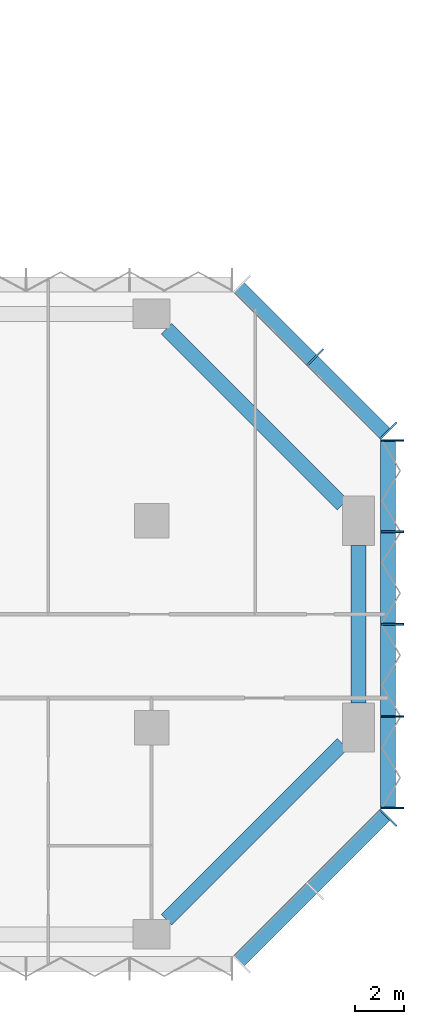
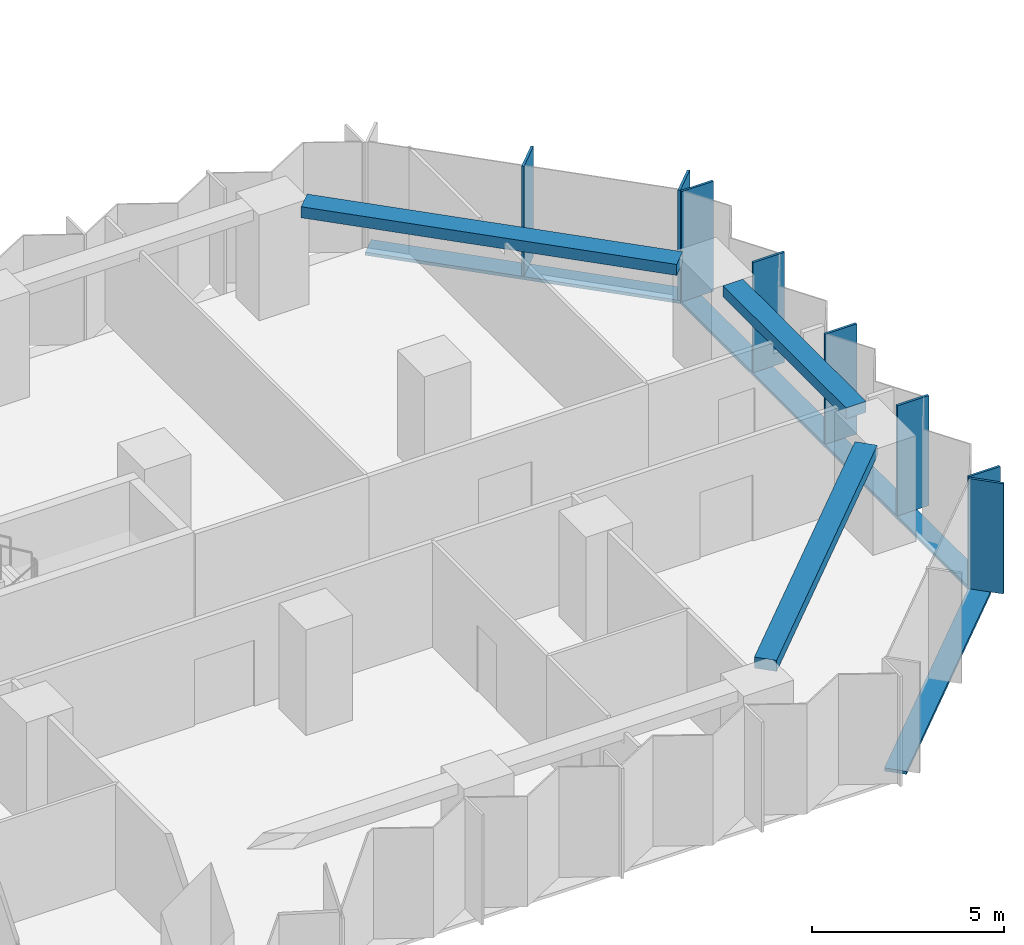
# One storey, part 4 of 15: 11 members, 3 beams, 3 elements without a shape of their own.
"""IFC4 building model written with IfcOpenShell, lengths in metres."""

from ifc_helpers import new_model, si_unit, direction, frame, origin, origin_2d, place, context, subcontext, project, spatial, rectangle, extrude, material, material_profile, profile_set, type_object, element, aggregate, save


model = new_model("IFC4")

# Units and contexts
model_context = context("Model", 3, precision=1e-05, world=origin(), true_north=direction((0.0, 1.0)))
body_context = subcontext(model_context, "Body", "Model", "MODEL_VIEW")
ifc_project = project(units=[si_unit("LENGTHUNIT", "METRE"), si_unit("AREAUNIT", "SQUARE_METRE"), si_unit("VOLUMEUNIT", "CUBIC_METRE"), si_unit("PLANEANGLEUNIT", "RADIAN"), si_unit("MASSUNIT", "GRAM", prefix="KILO")], contexts=[model_context])

# Site, building, storey
site_placement = place(None, origin())
site = spatial("IfcSite", under=ifc_project, at=site_placement, CompositionType="ELEMENT")
building_placement = place(site_placement, origin())
building = spatial("IfcBuilding", under=site, at=building_placement, Name="Brevane Broadcast Tower", CompositionType="ELEMENT")
storey_placement = place(building_placement, frame((0.0, 0.0, 54.5)))
storey = spatial("IfcBuildingStorey", under=building, at=storey_placement, Name="L11", CompositionType="ELEMENT", Elevation=54.5)

# Curtain wall, member
ifc_material_1 = material(Name="Aluminium 6063-T6 bronze anodised", Category="aluminium")
curtain_wall_type = type_object("IfcCurtainWallType", Name="CW-1 curtain wall", PredefinedType="NOTDEFINED", material=ifc_material_1)
curtain_wall_1_placement = place(storey_placement, origin())
curtain_wall_1 = element("IfcCurtainWall", 1, at=curtain_wall_1_placement, inside=storey, type_object=curtain_wall_type, Name="CW-1 typical tilted unit L11 south-east chamfer", PredefinedType="NOTDEFINED")
ifc_material_profile_1 = material_profile(ifc_material_1, rectangle(XDim=0.949951171875, YDim=0.070068359375, at=origin_2d()), Name="RECT 70x950")
ifc_profile_set_1 = profile_set([ifc_material_profile_1], Name="Aluminium 6063-T6 bronze anodised")
member_type_1 = type_object("IfcMemberType", Name="CW-1 mullion 70x950", PredefinedType="MULLION", material=ifc_profile_set_1)
member_1_placement = place(storey_placement, frame((68.4111328125, 4.7392578125, -0.14990234375), z_axis=(0.0, 0.0, 1.0), x_axis=(-0.707106781187, 0.707106781187, 0.0)))
member_1 = element("IfcMember", 2, at=member_1_placement, type_object=member_type_1, Name="CW-1 mullion", PredefinedType="MULLION", context=body_context, shape_type="SweptSolid", body=[
    extrude(rectangle(XDim=0.949951171875, YDim=0.070068359375, at=origin_2d()), origin(), (0.0, 0.0, 1.0), 3.5),
])

# Curtain wall, members
curtain_wall_2_placement = place(storey_placement, origin())
curtain_wall_2 = element("IfcCurtainWall", 3, at=curtain_wall_2_placement, inside=storey, type_object=curtain_wall_type, Name="CW-1 typical tilted unit L11 east end", PredefinedType="NOTDEFINED")
member_2_placement = place(storey_placement, frame((68.574951171875, 5.135009765625, -0.14990234375), z_axis=(0.0, 0.0, 1.0), x_axis=(-1.0, 0.0, 0.0)))
member_2 = element("IfcMember", 4, at=member_2_placement, type_object=member_type_1, Name="CW-1 mullion", PredefinedType="MULLION", context=body_context, shape_type="SweptSolid", body=[
    extrude(rectangle(XDim=0.949951171875, YDim=0.070068359375, at=origin_2d()), origin(), (0.0, 0.0, 1.0), 3.5),
])
member_3_placement = place(storey_placement, frame((68.574951171875, 8.85009765625, -0.14990234375), z_axis=(0.0, 0.0, 1.0), x_axis=(-1.0, 0.0, 0.0)))
member_3 = element("IfcMember", 5, at=member_3_placement, type_object=member_type_1, Name="CW-1 mullion", PredefinedType="MULLION", context=body_context, shape_type="SweptSolid", body=[
    extrude(rectangle(XDim=0.949951171875, YDim=0.070068359375, at=origin_2d()), origin(), (0.0, 0.0, 1.0), 3.5),
])
member_4_placement = place(storey_placement, frame((68.574951171875, 12.60009765625, -0.14990234375), z_axis=(0.0, 0.0, 1.0), x_axis=(-1.0, 0.0, 0.0)))
member_4 = element("IfcMember", 6, at=member_4_placement, type_object=member_type_1, Name="CW-1 mullion", PredefinedType="MULLION", context=body_context, shape_type="SweptSolid", body=[
    extrude(rectangle(XDim=0.949951171875, YDim=0.070068359375, at=origin_2d()), origin(), (0.0, 0.0, 1.0), 3.5),
])
member_5_placement = place(storey_placement, frame((68.574951171875, 16.35009765625, -0.14990234375), z_axis=(0.0, 0.0, 1.0), x_axis=(-1.0, 0.0, 0.0)))
member_5 = element("IfcMember", 7, at=member_5_placement, type_object=member_type_1, Name="CW-1 mullion", PredefinedType="MULLION", context=body_context, shape_type="SweptSolid", body=[
    extrude(rectangle(XDim=0.949951171875, YDim=0.070068359375, at=origin_2d()), origin(), (0.0, 0.0, 1.0), 3.5),
])
member_6_placement = place(storey_placement, frame((68.574951171875, 20.06494140625, -0.14990234375), z_axis=(0.0, 0.0, 1.0), x_axis=(-1.0, 0.0, 0.0)))
member_6 = element("IfcMember", 8, at=member_6_placement, type_object=member_type_1, Name="CW-1 mullion", PredefinedType="MULLION", context=body_context, shape_type="SweptSolid", body=[
    extrude(rectangle(XDim=0.949951171875, YDim=0.070068359375, at=origin_2d()), origin(), (0.0, 0.0, 1.0), 3.5),
])

curtain_wall_3_placement = place(storey_placement, origin())
curtain_wall_3 = element("IfcCurtainWall", 9, at=curtain_wall_3_placement, inside=storey, type_object=curtain_wall_type, Name="CW-1 typical tilted unit L11 north-east chamfer", PredefinedType="NOTDEFINED")
member_7_placement = place(storey_placement, frame((68.4111328125, 20.460693359375, -0.14990234375), z_axis=(0.0, 0.0, 1.0), x_axis=(-0.707106781187, -0.707106781187, 0.0)))
member_7 = element("IfcMember", 10, at=member_7_placement, type_object=member_type_1, Name="CW-1 mullion", PredefinedType="MULLION", context=body_context, shape_type="SweptSolid", body=[
    extrude(rectangle(XDim=0.949951171875, YDim=0.070068359375, at=origin_2d()), origin(), (0.0, 0.0, 1.0), 3.5),
])
member_8_placement = place(storey_placement, frame((65.435791015625, 23.435791015625, -0.14990234375), z_axis=(0.0, 0.0, 1.0), x_axis=(-0.707106781187, -0.707106781187, 0.0)))
member_8 = element("IfcMember", 11, at=member_8_placement, type_object=member_type_1, Name="CW-1 mullion", PredefinedType="MULLION", context=body_context, shape_type="SweptSolid", body=[
    extrude(rectangle(XDim=0.949951171875, YDim=0.070068359375, at=origin_2d()), origin(), (0.0, 0.0, 1.0), 3.5),
])

# Member
ifc_material_profile_2 = material_profile(ifc_material_1, rectangle(XDim=0.60009765625, YDim=0.10009765625, at=origin_2d()), Name="RECT 100x600")
ifc_profile_set_2 = profile_set([ifc_material_profile_2], Name="Aluminium 6063-T6 bronze anodised")
member_type_2 = type_object("IfcMemberType", Name="CW-1 transom 100x600", PredefinedType="USERDEFINED", material=ifc_profile_set_2)
member_9_placement = place(storey_placement, frame((62.31201171875, -1.112060546875, -0.199951171875), z_axis=(0.707106781187, 0.707106781187, 0.0), x_axis=(-0.707106781187, 0.707106781187, 0.0)))
member_9 = element("IfcMember", 12, at=member_9_placement, type_object=member_type_2, Name="CW-1 transom", ObjectType="TRANSOM", PredefinedType="USERDEFINED", context=body_context, shape_type="SweptSolid", body=[
    extrude(rectangle(XDim=0.60009765625, YDim=0.10009765625, at=origin_2d()), origin(), (0.0, 0.0, 1.0), 8.4853515625),
])

aggregate(curtain_wall_1, [member_1, member_9])

member_10_placement = place(storey_placement, frame((68.39990234375, 5.10009765625, -0.199951171875), z_axis=(0.0, 1.0, 0.0), x_axis=(-1.0, 0.0, 0.0)))
member_10 = element("IfcMember", 13, at=member_10_placement, type_object=member_type_2, Name="CW-1 transom", ObjectType="TRANSOM", PredefinedType="USERDEFINED", context=body_context, shape_type="SweptSolid", body=[
    extrude(rectangle(XDim=0.60009765625, YDim=0.10009765625, at=origin_2d()), origin(), (0.0, 0.0, 1.0), 15.0),
])

aggregate(curtain_wall_2, [member_2, member_3, member_4, member_5, member_6, member_10])

member_11_placement = place(storey_placement, frame((68.31201171875, 20.31201171875, -0.199951171875), z_axis=(-0.707106781187, 0.707106781187, 0.0), x_axis=(-0.707106781187, -0.707106781187, 0.0)))
member_11 = element("IfcMember", 14, at=member_11_placement, type_object=member_type_2, Name="CW-1 transom", ObjectType="TRANSOM", PredefinedType="USERDEFINED", context=body_context, shape_type="SweptSolid", body=[
    extrude(rectangle(XDim=0.60009765625, YDim=0.10009765625, at=origin_2d()), origin(), (0.0, 0.0, 1.0), 8.4853515625),
])

aggregate(curtain_wall_3, [member_7, member_8, member_11])

# Beams
ifc_material_2 = material(Name="Concrete C40/50", Category="concrete")
ifc_material_profile_3 = material_profile(ifc_material_2, rectangle(XDim=0.60009765625, YDim=0.35009765625, at=origin_2d()), Name="RC 600x350")
ifc_profile_set_3 = profile_set([ifc_material_profile_3], Name="Concrete C40/50")
beam_type = type_object("IfcBeamType", Name="RC SPANDREL BEAM 600x350 C40/50", PredefinedType="SPANDREL", material=ifc_profile_set_3)
beam_1_placement = place(storey_placement, frame((59.39990234375, 0.60009765625, 3.175048828125), z_axis=(0.707118853314, 0.707094708853, 0.0), x_axis=(-0.707094708853, 0.707118853314, 0.0)))
element("IfcBeam", 15, at=beam_1_placement, inside=storey, type_object=beam_type, Name="EB1 L11-5", PredefinedType="SPANDREL", context=body_context, shape_type="SweptSolid", body=[
    extrude(rectangle(XDim=0.60009765625, YDim=0.35009765625, at=origin_2d()), origin(), (0.0, 0.0, 1.0), 10.111572265625),
])
beam_2_placement = place(storey_placement, frame((67.199951171875, 9.39990234375, 3.175048828125), z_axis=(0.0, 1.0, 0.0), x_axis=(-1.0, 0.0, 0.0)))
element("IfcBeam", 16, at=beam_2_placement, inside=storey, type_object=beam_type, Name="EB1 L11-6", PredefinedType="SPANDREL", context=body_context, shape_type="SweptSolid", body=[
    extrude(rectangle(XDim=0.60009765625, YDim=0.35009765625, at=origin_2d()), origin(), (0.0, 0.0, 1.0), 6.400146484375),
])
beam_3_placement = place(storey_placement, frame((66.550048828125, 17.449951171875, 3.175048828125), z_axis=(-0.707106781187, 0.707106781187, 0.0), x_axis=(-0.707106781187, -0.707106781187, 0.0)))
element("IfcBeam", 17, at=beam_3_placement, inside=storey, type_object=beam_type, Name="EB1 L11-7", PredefinedType="SPANDREL", context=body_context, shape_type="SweptSolid", body=[
    extrude(rectangle(XDim=0.60009765625, YDim=0.35009765625, at=origin_2d()), origin(), (0.0, 0.0, 1.0), 10.11181640625),
])

save(model, "model.ifc")
